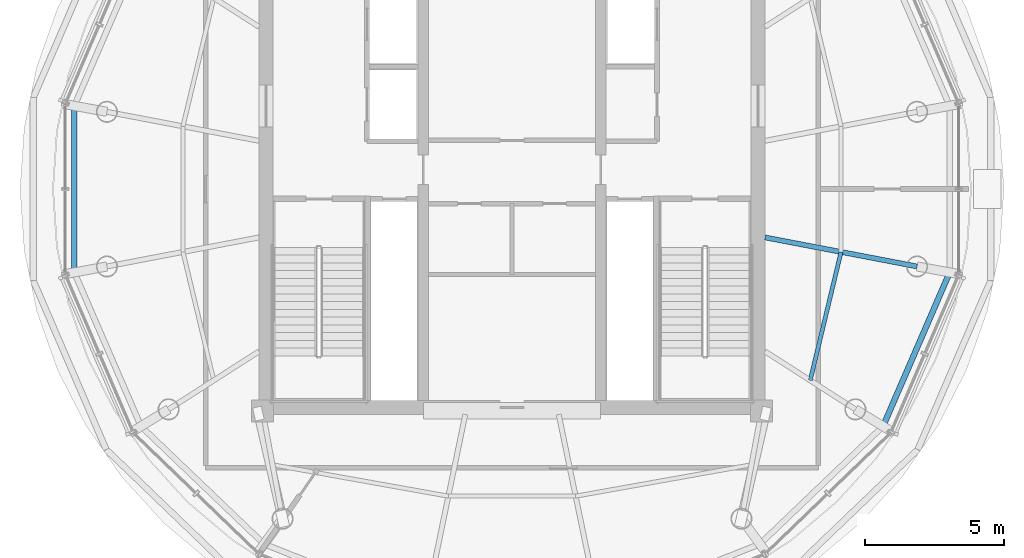
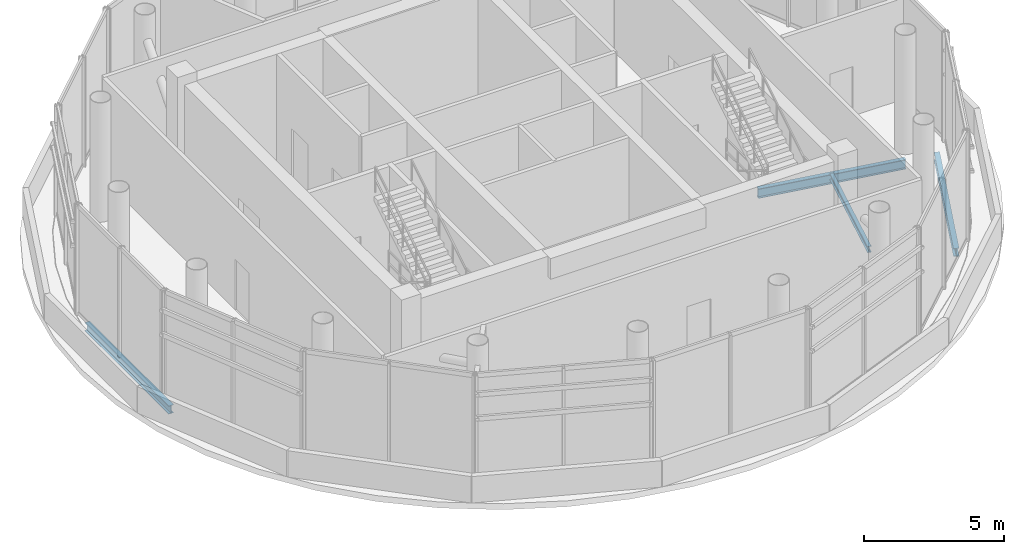
# One storey, part 4 of 14: 4 beams.
"""IFC4 building model written with IfcOpenShell, lengths in metres."""

from ifc_helpers import new_model, si_unit, direction, frame, origin, origin_2d, place, context, subcontext, project, spatial, i_section, extrude, material, material_profile, profile_set, type_object, element, save


model = new_model("IFC4")

# Units and contexts
model_context = context("Model", 3, precision=1e-05, world=origin(), true_north=direction((-0.2419218956, 0.970295726276)))
body_context = subcontext(model_context, "Body", "Model", "MODEL_VIEW")
ifc_project = project(units=[si_unit("LENGTHUNIT", "METRE"), si_unit("AREAUNIT", "SQUARE_METRE"), si_unit("VOLUMEUNIT", "CUBIC_METRE"), si_unit("PLANEANGLEUNIT", "RADIAN"), si_unit("MASSUNIT", "GRAM", prefix="KILO")], contexts=[model_context])

# Site, building, storey
site_placement = place(None, origin())
site = spatial("IfcSite", under=ifc_project, at=site_placement, CompositionType="ELEMENT")
building_placement = place(site_placement, origin())
building = spatial("IfcBuilding", under=site, at=building_placement, Name="Cobrevalo Terracotta Tower", CompositionType="ELEMENT")
storey_placement = place(building_placement, frame((0.0, 0.0, 321.699951171875)))
storey = spatial("IfcBuildingStorey", under=building, at=storey_placement, Name="L83", CompositionType="ELEMENT", Elevation=321.699951171875)

# Beams
ifc_material = material(Name="Steel S355", Category="steel")
ifc_material_profile_1 = material_profile(ifc_material, i_section(OverallWidth=0.179931640625, OverallDepth=0.4130859375, WebThickness=0.009765625, FlangeThickness=0.01611328125, at=origin_2d()), Name="W 410x75")
ifc_profile_set_1 = profile_set([ifc_material_profile_1], Name="Steel S355")
beam_type_1 = type_object("IfcBeamType", Name="Structural Beam W 410x75 (Steel S355)", PredefinedType="BEAM", material=ifc_profile_set_1)
beam_1_placement = place(storey_placement, frame((52.61376953125, 24.01025390625, -0.62646484375), z_axis=(-0.982261932892, 0.187513986655, 0.0), x_axis=(-0.187513986655, -0.982261932892, 0.0)))
element("IfcBeam", 1, at=beam_1_placement, inside=storey, type_object=beam_type_1, Name="L83 radial floor girder 16", PredefinedType="BEAM", context=body_context, shape_type="SweptSolid", body=[
    extrude(i_section(OverallWidth=0.179931640625, OverallDepth=0.4130859375, WebThickness=0.009765625, FlangeThickness=0.01611328125, at=origin_2d()), origin(), (0.0, 0.0, 1.0), 5.5830078125),
])
ifc_material_profile_2 = material_profile(ifc_material, i_section(OverallWidth=0.14794921875, OverallDepth=0.26611328125, WebThickness=0.007568359375, FlangeThickness=0.012939453125, at=origin_2d()), Name="W 250x44.8")
ifc_profile_set_2 = profile_set([ifc_material_profile_2], Name="Steel S355")
beam_type_2 = type_object("IfcBeamType", Name="Structural Joist W 250x44.8 (Steel S355)", PredefinedType="JOIST", material=ifc_profile_set_2)
beam_2_placement = place(storey_placement, frame((48.759521484375, 19.900146484375, -0.552978515625), z_axis=(0.233423333819, 0.972375209078, 0.0), x_axis=(-0.972375209078, 0.233423333819, 0.0)))
element("IfcBeam", 2, at=beam_2_placement, inside=storey, type_object=beam_type_2, Name="L83 circumferential secondary floor joist 15", PredefinedType="JOIST", context=body_context, shape_type="SweptSolid", body=[
    extrude(i_section(OverallWidth=0.14794921875, OverallDepth=0.26611328125, WebThickness=0.007568359375, FlangeThickness=0.012939453125, at=origin_2d()), origin(), (0.0, 0.0, 1.0), 4.76513671875),
])
ifc_material_profile_3 = material_profile(ifc_material, i_section(OverallWidth=0.205078125, OverallDepth=0.35400390625, WebThickness=0.009521484375, FlangeThickness=0.016845703125, at=origin_2d()), Name="W 360x79")
ifc_profile_set_3 = profile_set([ifc_material_profile_3], Name="Steel S355")
beam_type_3 = type_object("IfcBeamType", Name="Structural Spandrel W 360x79 (Steel S355)", PredefinedType="SPANDREL", material=ifc_profile_set_3)
beam_3_placement = place(storey_placement, frame((22.20947265625, 29.804443359375, -0.596923828125), z_axis=(0.0, -1.0, 0.0), x_axis=(1.0, 0.0, 0.0)))
element("IfcBeam", 3, at=beam_3_placement, inside=storey, type_object=beam_type_3, Name="L83 perimeter ring spandrel 08", PredefinedType="SPANDREL", context=body_context, shape_type="SweptSolid", body=[
    extrude(i_section(OverallWidth=0.205078125, OverallDepth=0.35400390625, WebThickness=0.009521484375, FlangeThickness=0.016845703125, at=origin_2d()), origin(), (0.0, 0.0, 1.0), 6.0087890625),
])
beam_4_placement = place(storey_placement, frame((51.38671875, 18.244140625, -0.596923828125), z_axis=(0.397350333227, 0.91766699444, 0.0), x_axis=(-0.91766699444, 0.397350333227, 0.0)))
element("IfcBeam", 4, at=beam_4_placement, inside=storey, type_object=beam_type_3, Name="L83 perimeter ring spandrel 15", PredefinedType="SPANDREL", context=body_context, shape_type="SweptSolid", body=[
    extrude(i_section(OverallWidth=0.205078125, OverallDepth=0.35400390625, WebThickness=0.009521484375, FlangeThickness=0.016845703125, at=origin_2d()), origin(), (0.0, 0.0, 1.0), 6.049560546875),
])

save(model, "model.ifc")
